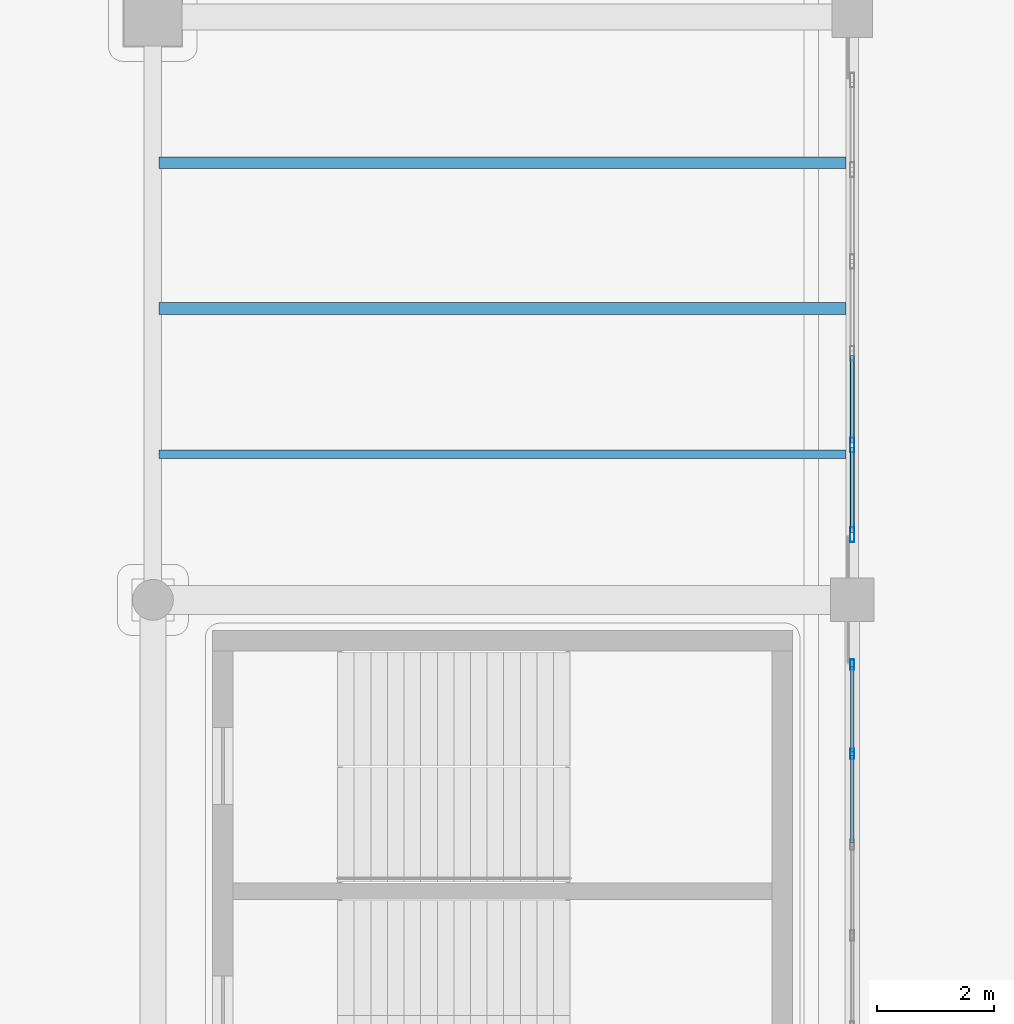
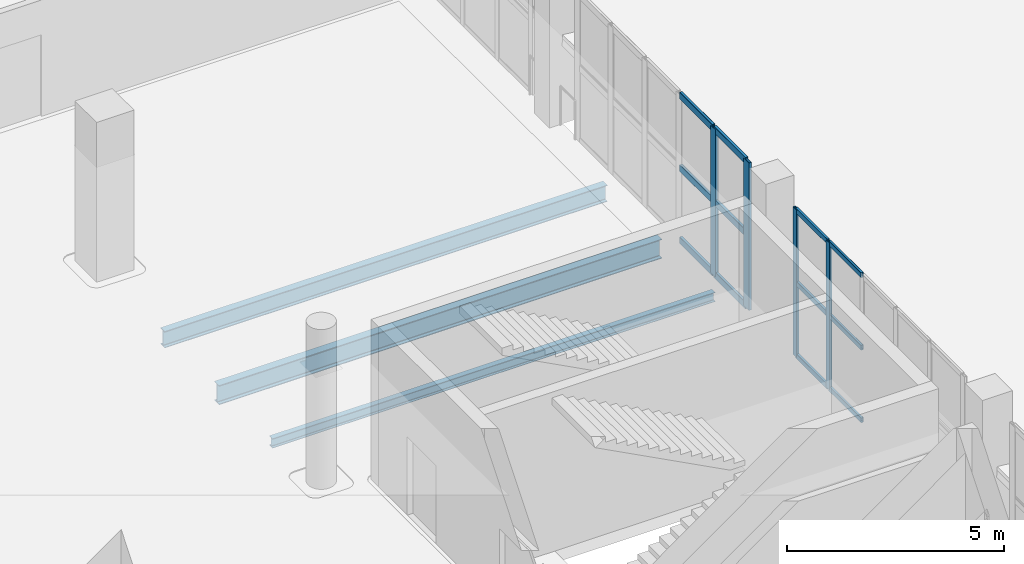
# One storey, part 54 of 108: 16 members, 3 beams, 2 elements without a shape of their own.
"""IFC4 building model written with IfcOpenShell, lengths in metres."""

from ifc_helpers import new_model, si_unit, direction, frame, origin, origin_2d, place, context, subcontext, project, spatial, hollow_rectangle, i_section, extrude, material, layer, layer_set, material_profile, profile_set, type_object, element, aggregate, save


model = new_model("IFC4")

# Units and contexts
model_context = context("Model", 3, precision=1e-05, world=origin(), true_north=direction((0.0, 1.0)))
body_context = subcontext(model_context, "Body", "Model", "MODEL_VIEW")
ifc_project = project(units=[si_unit("LENGTHUNIT", "METRE"), si_unit("AREAUNIT", "SQUARE_METRE"), si_unit("VOLUMEUNIT", "CUBIC_METRE"), si_unit("PLANEANGLEUNIT", "RADIAN"), si_unit("MASSUNIT", "GRAM", prefix="KILO")], contexts=[model_context])

# Site, building, storey
site_placement = place(None, origin())
site = spatial("IfcSite", under=ifc_project, at=site_placement, CompositionType="ELEMENT")
building_placement = place(site_placement, origin())
building = spatial("IfcBuilding", under=site, at=building_placement, Name="Brinegate Civic Arena", CompositionType="ELEMENT")
storey_placement = place(building_placement, frame((0.0, 0.0, 10.199951171875)))
storey = spatial("IfcBuildingStorey", under=building, at=storey_placement, Name="L02", CompositionType="ELEMENT", Elevation=10.199951171875)

# Curtain wall, members
ifc_material_1 = material(Name="Marine grade aluminium", Category="aluminium")
ifc_layer = layer(ifc_material_1, 0.199951171875, Name="Marine grade aluminium")
ifc_layer_set = layer_set([ifc_layer], Name="Marine grade aluminium")
curtain_wall_type = type_object("IfcCurtainWallType", Name="CW-BOWL-GLAZED-01", PredefinedType="USERDEFINED", material=ifc_layer_set)
curtain_wall_1_placement = place(storey_placement, origin())
curtain_wall_1 = element("IfcCurtainWall", 1, at=curtain_wall_1_placement, inside=storey, type_object=curtain_wall_type, Name="Curtain Wall CWA-080", ObjectType="GLAZED CURTAIN WALL", PredefinedType="USERDEFINED")
ifc_material_profile_1 = material_profile(ifc_material_1, hollow_rectangle(XDim=0.06494140625, YDim=0.179931640625, WallThickness=0.0048828125, InnerFilletRadius=0.00390625, OuterFilletRadius=0.008056640625, at=origin_2d()), Name="MUL65X180")
ifc_profile_set_1 = profile_set([ifc_material_profile_1], Name="Marine grade aluminium")
member_type_1 = type_object("IfcMemberType", Name="CW-MULLION-65X180", PredefinedType="MULLION", material=ifc_profile_set_1)
member_1_placement = place(storey_placement, frame((168.0, 49.359130859375, 0.0), z_axis=(0.0, 0.0, 1.0), x_axis=(-1.0, 0.0, 0.0)))
member_1 = element("IfcMember", 2, at=member_1_placement, type_object=member_type_1, Name="CWA-080 mullion 5", PredefinedType="MULLION", context=body_context, shape_type="SweptSolid", body=[
    extrude(hollow_rectangle(XDim=0.06494140625, YDim=0.179931640625, WallThickness=0.0048828125, InnerFilletRadius=0.00390625, OuterFilletRadius=0.008056640625, at=origin_2d()), origin(), (0.0, 0.0, 1.0), 4.150146484375),
])
member_2_placement = place(storey_placement, frame((168.0, 50.887451171875, 0.0), z_axis=(0.0, 0.0, 1.0), x_axis=(-1.0, 0.0, 0.0)))
member_2 = element("IfcMember", 3, at=member_2_placement, type_object=member_type_1, Name="CWA-080 mullion 6", PredefinedType="MULLION", context=body_context, shape_type="SweptSolid", body=[
    extrude(hollow_rectangle(XDim=0.06494140625, YDim=0.179931640625, WallThickness=0.0048828125, InnerFilletRadius=0.00390625, OuterFilletRadius=0.008056640625, at=origin_2d()), origin(), (0.0, 0.0, 1.0), 4.150146484375),
])

curtain_wall_2_placement = place(storey_placement, origin())
curtain_wall_2 = element("IfcCurtainWall", 4, at=curtain_wall_2_placement, inside=storey, type_object=curtain_wall_type, Name="Curtain Wall CWA-082", ObjectType="GLAZED CURTAIN WALL", PredefinedType="USERDEFINED")
ifc_material_profile_2 = material_profile(ifc_material_1, hollow_rectangle(XDim=0.074951171875, YDim=0.25, WallThickness=0.006103515625, InnerFilletRadius=0.00390625, OuterFilletRadius=0.008056640625, at=origin_2d()), Name="MUL75X250")
ifc_profile_set_2 = profile_set([ifc_material_profile_2], Name="Marine grade aluminium")
member_type_2 = type_object("IfcMemberType", Name="CW-MULLION-75X250", PredefinedType="MULLION", material=ifc_profile_set_2)
member_3_placement = place(storey_placement, frame((168.0, 53.117431640625, 0.0), z_axis=(0.0, 0.0, 1.0), x_axis=(-1.0, 0.0, 0.0)))
member_3 = element("IfcMember", 5, at=member_3_placement, type_object=member_type_2, Name="CWA-082 mullion 1", PredefinedType="MULLION", context=body_context, shape_type="SweptSolid", body=[
    extrude(hollow_rectangle(XDim=0.074951171875, YDim=0.25, WallThickness=0.006103515625, InnerFilletRadius=0.00390625, OuterFilletRadius=0.008056640625, at=origin_2d()), origin(), (0.0, 0.0, 1.0), 4.150146484375),
])
member_4_placement = place(storey_placement, frame((168.0, 54.655029296875, 0.0), z_axis=(0.0, 0.0, 1.0), x_axis=(-1.0, 0.0, 0.0)))
member_4 = element("IfcMember", 6, at=member_4_placement, type_object=member_type_2, Name="CWA-082 mullion 2", PredefinedType="MULLION", context=body_context, shape_type="SweptSolid", body=[
    extrude(hollow_rectangle(XDim=0.074951171875, YDim=0.25, WallThickness=0.006103515625, InnerFilletRadius=0.00390625, OuterFilletRadius=0.008056640625, at=origin_2d()), origin(), (0.0, 0.0, 1.0), 4.150146484375),
])

# Member
ifc_material_profile_3 = material_profile(ifc_material_1, hollow_rectangle(XDim=0.06494140625, YDim=0.139892578125, WallThickness=0.0048828125, InnerFilletRadius=0.00390625, OuterFilletRadius=0.008056640625, at=origin_2d()), Name="TRN65X140")
ifc_profile_set_3 = profile_set([ifc_material_profile_3], Name="Marine grade aluminium")
member_type_3 = type_object("IfcMemberType", Name="CW-TRANSOM-65X140", PredefinedType="USERDEFINED", material=ifc_profile_set_3)
member_5_placement = place(storey_placement, frame((168.0, 47.830810546875, 0.032470703125), z_axis=(0.0, 1.0, 0.0), x_axis=(-1.0, 0.0, 0.0)))
member_5 = element("IfcMember", 7, at=member_5_placement, type_object=member_type_3, Name="CWA-080 transom 4.1", ObjectType="TRANSOM", PredefinedType="USERDEFINED", context=body_context, shape_type="SweptSolid", body=[
    extrude(hollow_rectangle(XDim=0.06494140625, YDim=0.139892578125, WallThickness=0.0048828125, InnerFilletRadius=0.00390625, OuterFilletRadius=0.008056640625, at=origin_2d()), origin(), (0.0, 0.0, 1.0), 1.495849609375),
])

member_6_placement = place(storey_placement, frame((168.0, 47.830810546875, 2.074951171875), z_axis=(0.0, 1.0, 0.0), x_axis=(-1.0, 0.0, 0.0)))
member_6 = element("IfcMember", 8, at=member_6_placement, type_object=member_type_3, Name="CWA-080 transom 4.2", ObjectType="TRANSOM", PredefinedType="USERDEFINED", context=body_context, shape_type="SweptSolid", body=[
    extrude(hollow_rectangle(XDim=0.06494140625, YDim=0.139892578125, WallThickness=0.0048828125, InnerFilletRadius=0.00390625, OuterFilletRadius=0.008056640625, at=origin_2d()), origin(), (0.0, 0.0, 1.0), 1.495849609375),
])

member_7_placement = place(storey_placement, frame((168.0, 47.830810546875, 4.117431640625), z_axis=(0.0, 1.0, 0.0), x_axis=(-1.0, 0.0, 0.0)))
member_7 = element("IfcMember", 9, at=member_7_placement, type_object=member_type_3, Name="CWA-080 transom 4.3", ObjectType="TRANSOM", PredefinedType="USERDEFINED", context=body_context, shape_type="SweptSolid", body=[
    extrude(hollow_rectangle(XDim=0.06494140625, YDim=0.139892578125, WallThickness=0.0048828125, InnerFilletRadius=0.00390625, OuterFilletRadius=0.008056640625, at=origin_2d()), origin(), (0.0, 0.0, 1.0), 1.495849609375),
])

member_8_placement = place(storey_placement, frame((168.0, 49.3916015625, 0.032470703125), z_axis=(0.0, 1.0, 0.0), x_axis=(-1.0, 0.0, 0.0)))
member_8 = element("IfcMember", 10, at=member_8_placement, type_object=member_type_3, Name="CWA-080 transom 5.1", ObjectType="TRANSOM", PredefinedType="USERDEFINED", context=body_context, shape_type="SweptSolid", body=[
    extrude(hollow_rectangle(XDim=0.06494140625, YDim=0.139892578125, WallThickness=0.0048828125, InnerFilletRadius=0.00390625, OuterFilletRadius=0.008056640625, at=origin_2d()), origin(), (0.0, 0.0, 1.0), 1.46337890625),
])

member_9_placement = place(storey_placement, frame((168.0, 49.3916015625, 2.074951171875), z_axis=(0.0, 1.0, 0.0), x_axis=(-1.0, 0.0, 0.0)))
member_9 = element("IfcMember", 11, at=member_9_placement, type_object=member_type_3, Name="CWA-080 transom 5.2", ObjectType="TRANSOM", PredefinedType="USERDEFINED", context=body_context, shape_type="SweptSolid", body=[
    extrude(hollow_rectangle(XDim=0.06494140625, YDim=0.139892578125, WallThickness=0.0048828125, InnerFilletRadius=0.00390625, OuterFilletRadius=0.008056640625, at=origin_2d()), origin(), (0.0, 0.0, 1.0), 1.46337890625),
])

member_10_placement = place(storey_placement, frame((168.0, 49.3916015625, 4.117431640625), z_axis=(0.0, 1.0, 0.0), x_axis=(-1.0, 0.0, 0.0)))
member_10 = element("IfcMember", 12, at=member_10_placement, type_object=member_type_3, Name="CWA-080 transom 5.3", ObjectType="TRANSOM", PredefinedType="USERDEFINED", context=body_context, shape_type="SweptSolid", body=[
    extrude(hollow_rectangle(XDim=0.06494140625, YDim=0.139892578125, WallThickness=0.0048828125, InnerFilletRadius=0.00390625, OuterFilletRadius=0.008056640625, at=origin_2d()), origin(), (0.0, 0.0, 1.0), 1.46337890625),
])

aggregate(curtain_wall_1, [member_1, member_2, member_5, member_6, member_7, member_8, member_9, member_10])

ifc_material_profile_4 = material_profile(ifc_material_1, hollow_rectangle(XDim=0.074951171875, YDim=0.18994140625, WallThickness=0.006103515625, InnerFilletRadius=0.00390625, OuterFilletRadius=0.008056640625, at=origin_2d()), Name="TRN75X190")
ifc_profile_set_4 = profile_set([ifc_material_profile_4], Name="Marine grade aluminium")
member_type_4 = type_object("IfcMemberType", Name="CW-TRANSOM-75X190", PredefinedType="USERDEFINED", material=ifc_profile_set_4)
member_11_placement = place(storey_placement, frame((168.0, 53.155029296875, 0.03759765625), z_axis=(0.0, 1.0, 0.0), x_axis=(-1.0, 0.0, 0.0)))
member_11 = element("IfcMember", 13, at=member_11_placement, type_object=member_type_4, Name="CWA-082 transom 1.1", ObjectType="TRANSOM", PredefinedType="USERDEFINED", context=body_context, shape_type="SweptSolid", body=[
    extrude(hollow_rectangle(XDim=0.074951171875, YDim=0.18994140625, WallThickness=0.006103515625, InnerFilletRadius=0.00390625, OuterFilletRadius=0.008056640625, at=origin_2d()), origin(), (0.0, 0.0, 1.0), 1.46240234375),
])

member_12_placement = place(storey_placement, frame((168.0, 53.155029296875, 2.074951171875), z_axis=(0.0, 1.0, 0.0), x_axis=(-1.0, 0.0, 0.0)))
member_12 = element("IfcMember", 14, at=member_12_placement, type_object=member_type_4, Name="CWA-082 transom 1.2", ObjectType="TRANSOM", PredefinedType="USERDEFINED", context=body_context, shape_type="SweptSolid", body=[
    extrude(hollow_rectangle(XDim=0.074951171875, YDim=0.18994140625, WallThickness=0.006103515625, InnerFilletRadius=0.00390625, OuterFilletRadius=0.008056640625, at=origin_2d()), origin(), (0.0, 0.0, 1.0), 1.46240234375),
])

member_13_placement = place(storey_placement, frame((168.0, 53.155029296875, 4.112548828125), z_axis=(0.0, 1.0, 0.0), x_axis=(-1.0, 0.0, 0.0)))
member_13 = element("IfcMember", 15, at=member_13_placement, type_object=member_type_4, Name="CWA-082 transom 1.3", ObjectType="TRANSOM", PredefinedType="USERDEFINED", context=body_context, shape_type="SweptSolid", body=[
    extrude(hollow_rectangle(XDim=0.074951171875, YDim=0.18994140625, WallThickness=0.006103515625, InnerFilletRadius=0.00390625, OuterFilletRadius=0.008056640625, at=origin_2d()), origin(), (0.0, 0.0, 1.0), 1.46240234375),
])

member_14_placement = place(storey_placement, frame((168.0, 54.6923828125, 0.03759765625), z_axis=(0.0, 1.0, 0.0), x_axis=(-1.0, 0.0, 0.0)))
member_14 = element("IfcMember", 16, at=member_14_placement, type_object=member_type_4, Name="CWA-082 transom 2.1", ObjectType="TRANSOM", PredefinedType="USERDEFINED", context=body_context, shape_type="SweptSolid", body=[
    extrude(hollow_rectangle(XDim=0.074951171875, YDim=0.18994140625, WallThickness=0.006103515625, InnerFilletRadius=0.00390625, OuterFilletRadius=0.008056640625, at=origin_2d()), origin(), (0.0, 0.0, 1.0), 1.5),
])

member_15_placement = place(storey_placement, frame((168.0, 54.6923828125, 2.074951171875), z_axis=(0.0, 1.0, 0.0), x_axis=(-1.0, 0.0, 0.0)))
member_15 = element("IfcMember", 17, at=member_15_placement, type_object=member_type_4, Name="CWA-082 transom 2.2", ObjectType="TRANSOM", PredefinedType="USERDEFINED", context=body_context, shape_type="SweptSolid", body=[
    extrude(hollow_rectangle(XDim=0.074951171875, YDim=0.18994140625, WallThickness=0.006103515625, InnerFilletRadius=0.00390625, OuterFilletRadius=0.008056640625, at=origin_2d()), origin(), (0.0, 0.0, 1.0), 1.5),
])

member_16_placement = place(storey_placement, frame((168.0, 54.6923828125, 4.112548828125), z_axis=(0.0, 1.0, 0.0), x_axis=(-1.0, 0.0, 0.0)))
member_16 = element("IfcMember", 18, at=member_16_placement, type_object=member_type_4, Name="CWA-082 transom 2.3", ObjectType="TRANSOM", PredefinedType="USERDEFINED", context=body_context, shape_type="SweptSolid", body=[
    extrude(hollow_rectangle(XDim=0.074951171875, YDim=0.18994140625, WallThickness=0.006103515625, InnerFilletRadius=0.00390625, OuterFilletRadius=0.008056640625, at=origin_2d()), origin(), (0.0, 0.0, 1.0), 1.5),
])

aggregate(curtain_wall_2, [member_3, member_4, member_11, member_12, member_13, member_14, member_15, member_16])

# Beams
ifc_material_2 = material(Name="Steel S355", Category="steel")
ifc_material_profile_5 = material_profile(ifc_material_2, i_section(OverallWidth=0.14794921875, OverallDepth=0.26611328125, WebThickness=0.008056640625, FlangeThickness=0.012939453125, FilletRadius=0.011962890625, at=origin_2d()), Name="W250X45")
ifc_profile_set_5 = profile_set([ifc_material_profile_5], Name="Steel S355")
beam_type_1 = type_object("IfcBeamType", Name="JOIST-W250X45", PredefinedType="JOIST", material=ifc_profile_set_5)
beam_1_placement = place(storey_placement, frame((156.10595703125, 54.5, -0.462890625), z_axis=(1.0, 0.0, 0.0), x_axis=(0.0, 1.0, 0.0)))
element("IfcBeam", 19, at=beam_1_placement, inside=storey, type_object=beam_type_1, Name="Secondary Joist BM-L02-JX-13-05-1", PredefinedType="JOIST", context=body_context, shape_type="SweptSolid", body=[
    extrude(i_section(OverallWidth=0.14794921875, OverallDepth=0.26611328125, WebThickness=0.008056640625, FlangeThickness=0.012939453125, FilletRadius=0.011962890625, at=origin_2d()), origin(), (0.0, 0.0, 1.0), 11.7880859375),
])
ifc_material_profile_6 = material_profile(ifc_material_2, i_section(OverallWidth=0.193115234375, OverallDepth=0.466064453125, WebThickness=0.010986328125, FlangeThickness=0.01904296875, FilletRadius=0.014892578125, at=origin_2d()), Name="W460X97")
ifc_profile_set_6 = profile_set([ifc_material_profile_6], Name="Steel S355")
beam_type_2 = type_object("IfcBeamType", Name="JOIST-W460X97", PredefinedType="JOIST", material=ifc_profile_set_6)
beam_2_placement = place(storey_placement, frame((156.10595703125, 59.5, -0.56298828125), z_axis=(1.0, 0.0, 0.0), x_axis=(0.0, 1.0, 0.0)))
element("IfcBeam", 20, at=beam_2_placement, inside=storey, type_object=beam_type_2, Name="Secondary Joist BM-L02-JX-13-05-3", PredefinedType="JOIST", context=body_context, shape_type="SweptSolid", body=[
    extrude(i_section(OverallWidth=0.193115234375, OverallDepth=0.466064453125, WebThickness=0.010986328125, FlangeThickness=0.01904296875, FilletRadius=0.014892578125, at=origin_2d()), origin(), (0.0, 0.0, 1.0), 11.7880859375),
])
ifc_material_profile_7 = material_profile(ifc_material_2, i_section(OverallWidth=0.2119140625, OverallDepth=0.5439453125, WebThickness=0.012939453125, FlangeThickness=0.02099609375, FilletRadius=0.01611328125, at=origin_2d()), Name="W530X123")
ifc_profile_set_7 = profile_set([ifc_material_profile_7], Name="Steel S355")
beam_type_3 = type_object("IfcBeamType", Name="JOIST-W530X123", PredefinedType="JOIST", material=ifc_profile_set_7)
beam_3_placement = place(storey_placement, frame((156.10595703125, 57.0, -0.60205078125), z_axis=(1.0, 0.0, 0.0), x_axis=(0.0, 1.0, 0.0)))
element("IfcBeam", 21, at=beam_3_placement, inside=storey, type_object=beam_type_3, Name="Secondary Joist BM-L02-JX-13-05-2", PredefinedType="JOIST", context=body_context, shape_type="SweptSolid", body=[
    extrude(i_section(OverallWidth=0.2119140625, OverallDepth=0.5439453125, WebThickness=0.012939453125, FlangeThickness=0.02099609375, FilletRadius=0.01611328125, at=origin_2d()), origin(), (0.0, 0.0, 1.0), 11.7880859375),
])

save(model, "model.ifc")
